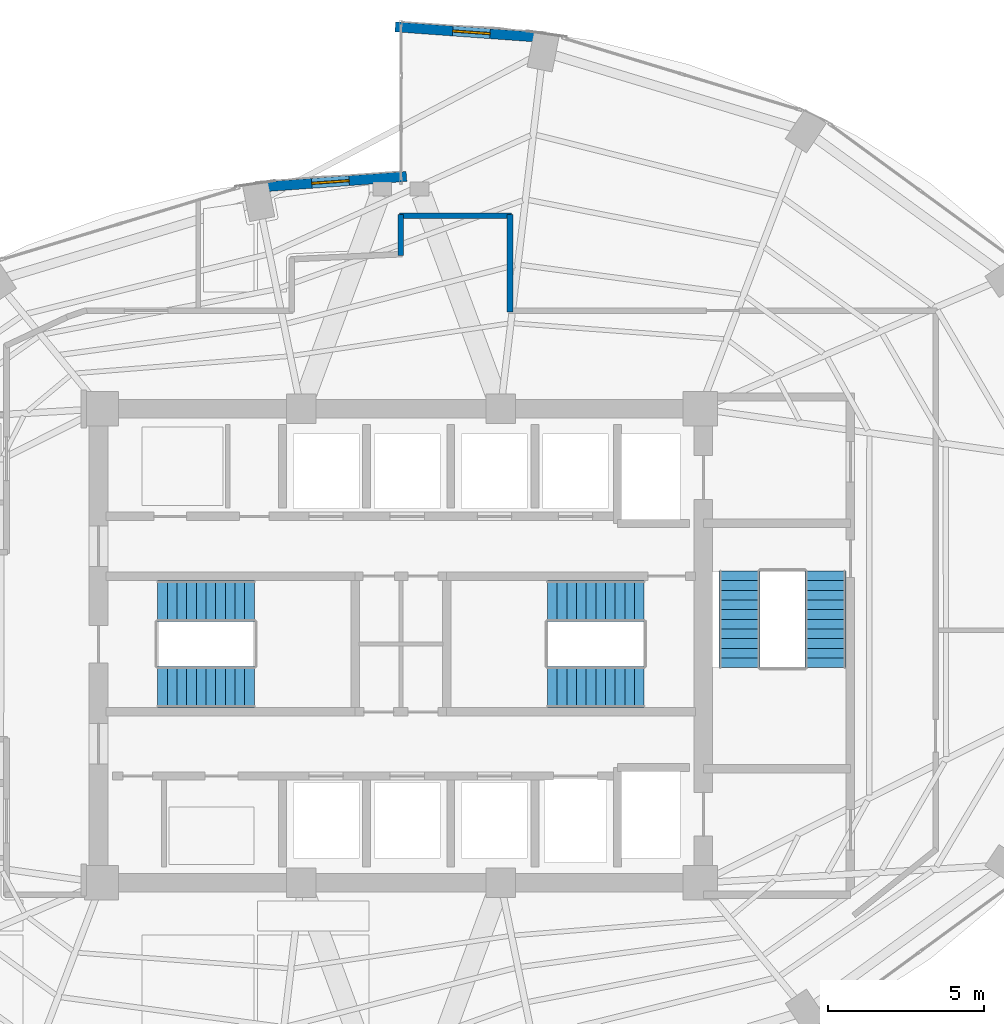
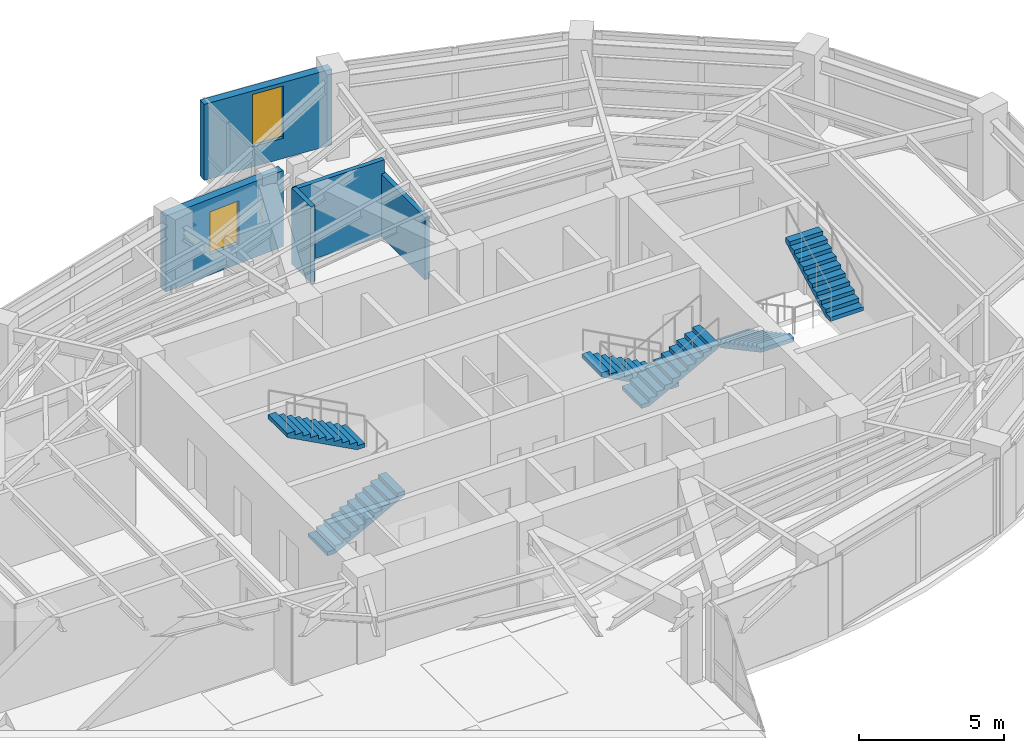
# One storey, part 18 of 20: 6 stair flights, 5 walls, 2 windows, 2 openings, 3 elements without a shape of their own.
"""IFC4 building model written with IfcOpenShell, lengths in metres."""

from ifc_helpers import new_model, si_unit, direction, frame, frame_2d, origin, place, context, subcontext, project, spatial, polyline, rectangle, outline, extrude, material, layer, layer_set, type_object, element, fill, aggregate, save


model = new_model("IFC4")

# Units and contexts
model_context = context("Model", 3, precision=1e-05, world=origin(), true_north=direction((0.0, 1.0)))
body_context = subcontext(model_context, "Body", "Model", "MODEL_VIEW")
ifc_project = project(units=[si_unit("LENGTHUNIT", "METRE"), si_unit("AREAUNIT", "SQUARE_METRE"), si_unit("VOLUMEUNIT", "CUBIC_METRE"), si_unit("PLANEANGLEUNIT", "RADIAN"), si_unit("MASSUNIT", "GRAM", prefix="KILO")], contexts=[model_context])

# Site, building, storey
site_placement = place(None, origin())
site = spatial("IfcSite", under=ifc_project, at=site_placement, CompositionType="ELEMENT")
building_placement = place(site_placement, origin())
building = spatial("IfcBuilding", under=site, at=building_placement, Name="Lazwardi Medical Tower", CompositionType="ELEMENT")
storey_placement = place(building_placement, frame((0.0, 0.0, 185.7119140625)))
storey = spatial("IfcBuildingStorey", under=building, at=storey_placement, Name="L48", CompositionType="ELEMENT", Elevation=185.7119140625)

# Walls
ifc_material_1 = material(Name="Fire-rated gypsum board on steel stud", Category="steel")
ifc_layer_1 = layer(ifc_material_1, 0.179931640625)
ifc_layer_set_1 = layer_set([ifc_layer_1], Name="Fire-rated gypsum board on steel stud")
wall_type_1 = type_object("IfcWallType", Name="WL-COR-180", PredefinedType="PARTITIONING", material=ifc_layer_set_1)
wall_1_placement = place(storey_placement, frame((36.0, 40.52001953125, 0.0), z_axis=(0.0, 0.0, 1.0), x_axis=(0.0, 1.0, 0.0)))
element("IfcWall", 1, at=wall_1_placement, inside=storey, type_object=wall_type_1, Name="L48 Corridor partition 9", PredefinedType="PARTITIONING", context=body_context, shape_type="SweptSolid", body=[
    extrude(rectangle(XDim=1.320068359375, YDim=0.179931640625, at=frame_2d((0.66015625, 0.0))), origin(), (0.0, 0.0, 1.0), 3.197998046875),
])
wall_2_placement = place(storey_placement, frame((35.9599609375, 41.800048828125, 0.0), z_axis=(0.0, 0.0, 1.0), x_axis=(1.0, 0.0, 0.0)))
element("IfcWall", 2, at=wall_2_placement, inside=storey, type_object=wall_type_1, Name="L48 Corridor partition 10", PredefinedType="PARTITIONING", context=body_context, shape_type="SweptSolid", body=[
    extrude(rectangle(XDim=3.580078125, YDim=0.179931640625, at=frame_2d((1.7900390625, 0.0))), origin(), (0.0, 0.0, 1.0), 3.197998046875),
])
wall_3_placement = place(storey_placement, frame((39.5, 41.840087890625, 0.0), z_axis=(0.0, 0.0, 1.0), x_axis=(0.0, -1.0, 0.0)))
element("IfcWall", 3, at=wall_3_placement, inside=storey, type_object=wall_type_1, Name="L48 Corridor partition 11", PredefinedType="PARTITIONING", context=body_context, shape_type="SweptSolid", body=[
    extrude(rectangle(XDim=3.130126953125, YDim=0.179931640625, at=frame_2d((1.56494140625, 0.0))), origin(), (0.0, 0.0, 1.0), 2.633056640625),
])

# Wall, opening, window
ifc_material_2 = material(Name="Precast concrete C45/55", Category="concrete")
ifc_layer_2 = layer(ifc_material_2, 0.320068359375)
ifc_layer_set_2 = layer_set([ifc_layer_2], Name="Precast concrete C45/55")
wall_type_2 = type_object("IfcWallType", Name="WL-IWAN-320", PredefinedType="SOLIDWALL", material=ifc_layer_set_2)
wall_4_placement = place(storey_placement, frame((40.700927734375, 47.501220703125, 0.0), z_axis=(0.0, 0.0, 1.0), x_axis=(-0.997415460462, 0.071849838072, 0.0)))
wall_4 = element("IfcWall", 4, at=wall_4_placement, inside=storey, type_object=wall_type_2, Name="L48 Iwan Portal Return Wall NE_ret", PredefinedType="SOLIDWALL", context=body_context, shape_type="SweptSolid", body=[
    extrude(rectangle(XDim=4.89306640625, YDim=0.320068359375, at=frame_2d((2.446533203125, 0.0))), origin(), (0.0, 0.0, 1.0), 3.197998046875),
])
opening_1_placement = place(wall_4_placement, frame((1.846435546875, 0.0, 0.85009765625)))
opening_1 = element("IfcOpeningElement", 5, at=opening_1_placement, cuts=wall_4, Name="Opening WN-01", PredefinedType="OPENING", context=body_context, shape_type="SweptSolid", body=[
    extrude(rectangle(XDim=1.199951171875, YDim=2.199951171875, at=frame_2d((0.60009765625, 1.10009765625))), frame((0.0, 0.169921875, 0.0), z_axis=(0.0, -1.0, 0.0), x_axis=(1.0, 0.0, 0.0)), (0.0, 0.0, 1.0), 0.340087890625),
])
ifc_material_3 = material(Name="Low-e bronze solar control double glazing", Category="glass")
window_type_1 = type_object("IfcWindowType", Name="WIN-IW-1200", PartitioningType="SINGLE_PANEL", PredefinedType="WINDOW", material=ifc_material_3)
window_1_placement = place(opening_1_placement, origin())
window_1 = element("IfcWindow", 6, at=window_1_placement, inside=storey, type_object=window_type_1, Name="L48 Iwan Slot Window NE_ret", OverallHeight=2.199951171875, OverallWidth=1.199951171875, PartitioningType="SINGLE_PANEL", PredefinedType="WINDOW", context=body_context, shape_type="SweptSolid", body=[
    extrude(rectangle(XDim=1.199951171875, YDim=2.199951171875, at=frame_2d((0.60009765625, 1.10009765625))), frame((0.0, 0.030029296875, 0.0), z_axis=(0.0, -1.0, 0.0), x_axis=(1.0, 0.0, 0.0)), (0.0, 0.0, 1.0), 0.06005859375),
])
fill(opening_1, window_1)

wall_5_placement = place(storey_placement, frame((36.17919921875, 43.052978515625, 0.0), z_axis=(0.0, 0.0, 1.0), x_axis=(-0.997415202861, -0.071853413984, 0.0)))
wall_5 = element("IfcWall", 7, at=wall_5_placement, inside=storey, type_object=wall_type_2, Name="L48 Iwan Portal Return Wall NW_ret", PredefinedType="SOLIDWALL", context=body_context, shape_type="SweptSolid", body=[
    extrude(rectangle(XDim=4.892822265625, YDim=0.320068359375, at=frame_2d((2.4462890625, 0.0))), origin(), (0.0, 0.0, 1.0), 3.197998046875),
])
opening_2_placement = place(wall_5_placement, frame((1.84619140625, 0.0, 0.85009765625)))
opening_2 = element("IfcOpeningElement", 8, at=opening_2_placement, cuts=wall_5, Name="Opening WN-04", PredefinedType="OPENING", context=body_context, shape_type="SweptSolid", body=[
    extrude(rectangle(XDim=1.199951171875, YDim=1.800048828125, at=frame_2d((0.60009765625, 0.89990234375))), frame((0.0, 0.169921875, 0.0), z_axis=(0.0, -1.0, 0.0), x_axis=(1.0, 0.0, 0.0)), (0.0, 0.0, 1.0), 0.340087890625),
])
window_type_2 = type_object("IfcWindowType", Name="WIN-DRUM-1200", PartitioningType="SINGLE_PANEL", PredefinedType="WINDOW", material=ifc_material_3)
window_2_placement = place(opening_2_placement, origin())
window_2 = element("IfcWindow", 9, at=window_2_placement, inside=storey, type_object=window_type_2, Name="L48 Iwan Slot Window NW_ret", OverallHeight=1.800048828125, OverallWidth=1.199951171875, PartitioningType="SINGLE_PANEL", PredefinedType="WINDOW", context=body_context, shape_type="SweptSolid", body=[
    extrude(rectangle(XDim=1.199951171875, YDim=1.800048828125, at=frame_2d((0.60009765625, 0.89990234375))), frame((0.0, 0.030029296875, 0.0), z_axis=(0.0, -1.0, 0.0), x_axis=(1.0, 0.0, 0.0)), (0.0, 0.0, 1.0), 0.06005859375),
])
fill(opening_2, window_2)

# Stair, stair flights
ifc_material_4 = material(Name="Concrete C45/55", Category="concrete")
stair_type = type_object("IfcStairType", Name="STR-WRD", PredefinedType="HALF_TURN_STAIR", material=ifc_material_4)
stair_1_placement = place(storey_placement, origin())
stair_1 = element("IfcStair", 10, at=stair_1_placement, inside=storey, type_object=stair_type, Name="L48 Protected Exit Stair ST1", PredefinedType="HALF_TURN_STAIR")
stair_flight_type = type_object("IfcStairFlightType", Name="FLT-WRD", PredefinedType="STRAIGHT", material=ifc_material_4)
stair_flight_1_placement = place(storey_placement, frame((28.199951171875, 26.679931640625, 0.0), z_axis=(0.0, 0.0, 1.0), x_axis=(1.0, 0.0, 0.0)))
stair_flight_1 = element("IfcStairFlight", 11, at=stair_flight_1_placement, type_object=stair_flight_type, Name="ST1 flight 1", NumberOfRisers=11, NumberOfTreads=10, PredefinedType="STRAIGHT", RiserHeight=0.165818182, TreadLength=0.31, context=body_context, shape_type="SweptSolid", body=[
    extrude(outline(polyline([(0.0, 0.0), (0.0, 0.165771484375), (0.31005859375, 0.165771484375), (0.31005859375, 0.33154296875), (0.6201171875, 0.33154296875), (0.6201171875, 0.49755859375), (0.929931640625, 0.49755859375), (0.929931640625, 0.663330078125), (1.239990234375, 0.663330078125), (1.239990234375, 0.8291015625), (1.550048828125, 0.8291015625), (1.550048828125, 0.994873046875), (1.860107421875, 0.994873046875), (1.860107421875, 1.16064453125), (2.169921875, 1.16064453125), (2.169921875, 1.32666015625), (2.47998046875, 1.32666015625), (2.47998046875, 1.492431640625), (2.7900390625, 1.492431640625), (2.7900390625, 1.658203125), (3.10009765625, 1.658203125), (3.10009765625, 1.823974609375), (3.10009765625, 1.48828125), (0.31787109375, 0.0), (0.0, 0.0)])), frame((0.0, 0.66015625, 0.0), z_axis=(0.0, -1.0, 0.0), x_axis=(1.0, 0.0, 0.0)), (0.0, 0.0, 1.0), 1.320068359375),
])
stair_flight_2_placement = place(storey_placement, frame((31.300048828125, 29.43994140625, 1.823974609375), z_axis=(0.0, 0.0, 1.0), x_axis=(-1.0, 0.0, 0.0)))
stair_flight_2 = element("IfcStairFlight", 12, at=stair_flight_2_placement, type_object=stair_flight_type, Name="ST1 flight 2", NumberOfRisers=11, NumberOfTreads=10, PredefinedType="STRAIGHT", RiserHeight=0.165818182, TreadLength=0.31, context=body_context, shape_type="SweptSolid", body=[
    extrude(outline(polyline([(0.0, 0.0), (0.0, 0.165771484375), (0.31005859375, 0.165771484375), (0.31005859375, 0.33154296875), (0.6201171875, 0.33154296875), (0.6201171875, 0.49755859375), (0.929931640625, 0.49755859375), (0.929931640625, 0.663330078125), (1.239990234375, 0.663330078125), (1.239990234375, 0.8291015625), (1.550048828125, 0.8291015625), (1.550048828125, 0.994873046875), (1.860107421875, 0.994873046875), (1.860107421875, 1.16064453125), (2.169921875, 1.16064453125), (2.169921875, 1.32666015625), (2.47998046875, 1.32666015625), (2.47998046875, 1.492431640625), (2.7900390625, 1.492431640625), (2.7900390625, 1.658203125), (3.10009765625, 1.658203125), (3.10009765625, 1.823974609375), (3.10009765625, 1.48828125), (0.31787109375, 0.0), (0.0, 0.0)])), frame((0.0, 0.66015625, 0.0), z_axis=(0.0, -1.0, 0.0), x_axis=(1.0, 0.0, 0.0)), (0.0, 0.0, 1.0), 1.320068359375),
])
aggregate(stair_1, [stair_flight_1, stair_flight_2])

stair_2_placement = place(storey_placement, origin())
stair_2 = element("IfcStair", 13, at=stair_2_placement, inside=storey, type_object=stair_type, Name="L48 Protected Exit Stair ST2", PredefinedType="HALF_TURN_STAIR")
stair_flight_3_placement = place(storey_placement, frame((43.800048828125, 29.43994140625, 0.0), z_axis=(0.0, 0.0, 1.0), x_axis=(-1.0, 0.0, 0.0)))
stair_flight_3 = element("IfcStairFlight", 14, at=stair_flight_3_placement, type_object=stair_flight_type, Name="ST2 flight 1", NumberOfRisers=11, NumberOfTreads=10, PredefinedType="STRAIGHT", RiserHeight=0.165818182, TreadLength=0.31, context=body_context, shape_type="SweptSolid", body=[
    extrude(outline(polyline([(0.0, 0.0), (0.0, 0.165771484375), (0.31005859375, 0.165771484375), (0.31005859375, 0.33154296875), (0.6201171875, 0.33154296875), (0.6201171875, 0.49755859375), (0.929931640625, 0.49755859375), (0.929931640625, 0.663330078125), (1.239990234375, 0.663330078125), (1.239990234375, 0.8291015625), (1.550048828125, 0.8291015625), (1.550048828125, 0.994873046875), (1.860107421875, 0.994873046875), (1.860107421875, 1.16064453125), (2.169921875, 1.16064453125), (2.169921875, 1.32666015625), (2.47998046875, 1.32666015625), (2.47998046875, 1.492431640625), (2.7900390625, 1.492431640625), (2.7900390625, 1.658203125), (3.10009765625, 1.658203125), (3.10009765625, 1.823974609375), (3.10009765625, 1.48828125), (0.31787109375, 0.0), (0.0, 0.0)])), frame((0.0, 0.66015625, 0.0), z_axis=(0.0, -1.0, 0.0), x_axis=(1.0, 0.0, 0.0)), (0.0, 0.0, 1.0), 1.320068359375),
])
stair_flight_4_placement = place(storey_placement, frame((40.699951171875, 26.679931640625, 1.823974609375), z_axis=(0.0, 0.0, 1.0), x_axis=(1.0, 0.0, 0.0)))
stair_flight_4 = element("IfcStairFlight", 15, at=stair_flight_4_placement, type_object=stair_flight_type, Name="ST2 flight 2", NumberOfRisers=11, NumberOfTreads=10, PredefinedType="STRAIGHT", RiserHeight=0.165818182, TreadLength=0.31, context=body_context, shape_type="SweptSolid", body=[
    extrude(outline(polyline([(0.0, 0.0), (0.0, 0.165771484375), (0.31005859375, 0.165771484375), (0.31005859375, 0.33154296875), (0.6201171875, 0.33154296875), (0.6201171875, 0.49755859375), (0.929931640625, 0.49755859375), (0.929931640625, 0.663330078125), (1.239990234375, 0.663330078125), (1.239990234375, 0.8291015625), (1.550048828125, 0.8291015625), (1.550048828125, 0.994873046875), (1.860107421875, 0.994873046875), (1.860107421875, 1.16064453125), (2.169921875, 1.16064453125), (2.169921875, 1.32666015625), (2.47998046875, 1.32666015625), (2.47998046875, 1.492431640625), (2.7900390625, 1.492431640625), (2.7900390625, 1.658203125), (3.10009765625, 1.658203125), (3.10009765625, 1.823974609375), (3.10009765625, 1.48828125), (0.31787109375, 0.0), (0.0, 0.0)])), frame((0.0, 0.66015625, 0.0), z_axis=(0.0, -1.0, 0.0), x_axis=(1.0, 0.0, 0.0)), (0.0, 0.0, 1.0), 1.320068359375),
])
aggregate(stair_2, [stair_flight_3, stair_flight_4])

stair_3_placement = place(storey_placement, origin())
stair_3 = element("IfcStair", 16, at=stair_3_placement, inside=storey, type_object=stair_type, Name="L48 Protected Exit Stair ST3", PredefinedType="HALF_TURN_STAIR")
stair_flight_5_placement = place(storey_placement, frame((46.860107421875, 30.39990234375, 0.0), z_axis=(0.0, 0.0, 1.0), x_axis=(0.0, -1.0, 0.0)))
stair_flight_5 = element("IfcStairFlight", 17, at=stair_flight_5_placement, type_object=stair_flight_type, Name="ST3 flight 1", NumberOfRisers=11, NumberOfTreads=10, PredefinedType="STRAIGHT", RiserHeight=0.165818182, TreadLength=0.31, context=body_context, shape_type="SweptSolid", body=[
    extrude(outline(polyline([(0.0, 0.0), (0.0, 0.165771484375), (0.31005859375, 0.165771484375), (0.31005859375, 0.33154296875), (0.6201171875, 0.33154296875), (0.6201171875, 0.49755859375), (0.929931640625, 0.49755859375), (0.929931640625, 0.663330078125), (1.239990234375, 0.663330078125), (1.239990234375, 0.8291015625), (1.550048828125, 0.8291015625), (1.550048828125, 0.994873046875), (1.860107421875, 0.994873046875), (1.860107421875, 1.16064453125), (2.169921875, 1.16064453125), (2.169921875, 1.32666015625), (2.47998046875, 1.32666015625), (2.47998046875, 1.492431640625), (2.7900390625, 1.492431640625), (2.7900390625, 1.658203125), (3.10009765625, 1.658203125), (3.10009765625, 1.823974609375), (3.10009765625, 1.48828125), (0.31787109375, 0.0), (0.0, 0.0)])), frame((0.0, 0.66015625, 0.0), z_axis=(0.0, -1.0, 0.0), x_axis=(1.0, 0.0, 0.0)), (0.0, 0.0, 1.0), 1.320068359375),
])
stair_flight_6_placement = place(storey_placement, frame((49.6201171875, 27.300048828125, 1.823974609375), z_axis=(0.0, 0.0, 1.0), x_axis=(0.0, 1.0, 0.0)))
stair_flight_6 = element("IfcStairFlight", 18, at=stair_flight_6_placement, type_object=stair_flight_type, Name="ST3 flight 2", NumberOfRisers=11, NumberOfTreads=10, PredefinedType="STRAIGHT", RiserHeight=0.165818182, TreadLength=0.31, context=body_context, shape_type="SweptSolid", body=[
    extrude(outline(polyline([(0.0, 0.0), (0.0, 0.165771484375), (0.31005859375, 0.165771484375), (0.31005859375, 0.33154296875), (0.6201171875, 0.33154296875), (0.6201171875, 0.49755859375), (0.929931640625, 0.49755859375), (0.929931640625, 0.663330078125), (1.239990234375, 0.663330078125), (1.239990234375, 0.8291015625), (1.550048828125, 0.8291015625), (1.550048828125, 0.994873046875), (1.860107421875, 0.994873046875), (1.860107421875, 1.16064453125), (2.169921875, 1.16064453125), (2.169921875, 1.32666015625), (2.47998046875, 1.32666015625), (2.47998046875, 1.492431640625), (2.7900390625, 1.492431640625), (2.7900390625, 1.658203125), (3.10009765625, 1.658203125), (3.10009765625, 1.823974609375), (3.10009765625, 1.48828125), (0.31787109375, 0.0), (0.0, 0.0)])), frame((0.0, 0.66015625, 0.0), z_axis=(0.0, -1.0, 0.0), x_axis=(1.0, 0.0, 0.0)), (0.0, 0.0, 1.0), 1.320068359375),
])
aggregate(stair_3, [stair_flight_5, stair_flight_6])

save(model, "model.ifc")
